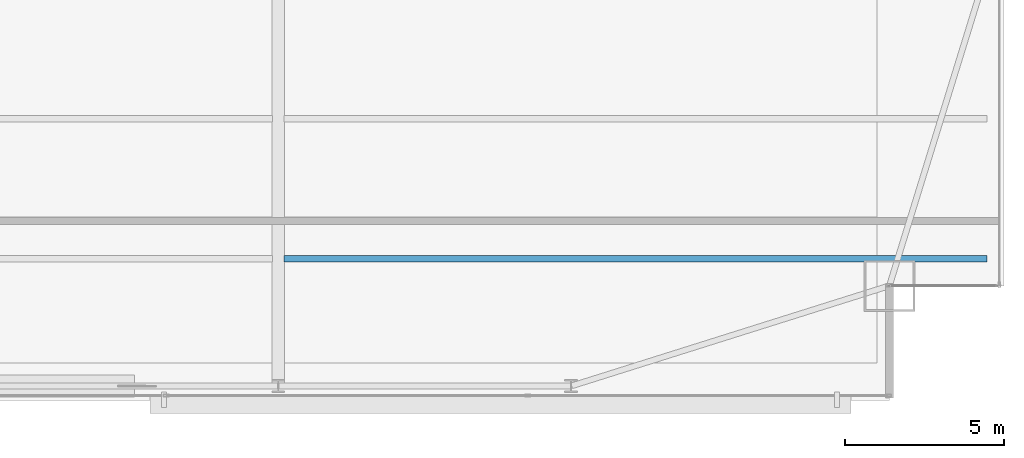
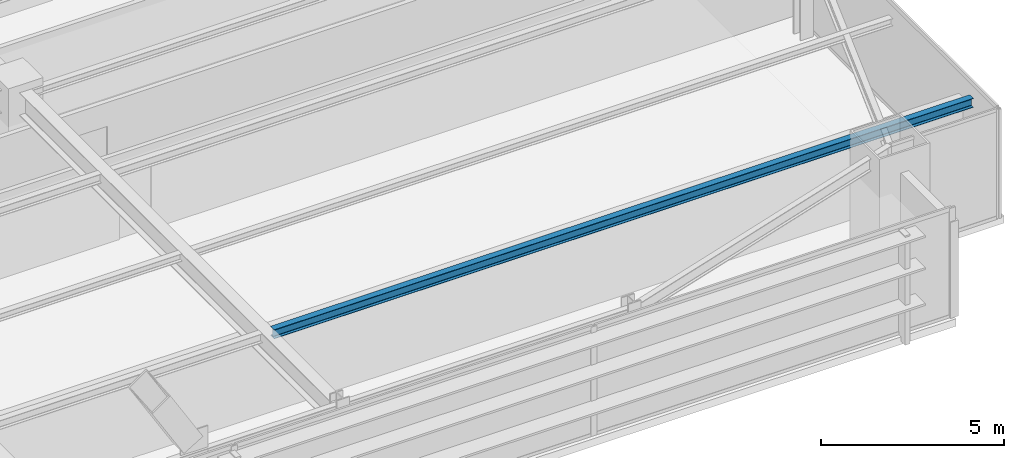
# One storey, part 15 of 35: 1 beam.
"""IFC4 building model written with IfcOpenShell, lengths in metres."""

from ifc_helpers import new_model, si_unit, direction, frame, origin, origin_2d, place, context, subcontext, project, spatial, i_section, extrude, source, transform, mapped, material, material_profile, profile_set, type_object, type_shapes, element, save


model = new_model("IFC4")

# Units and contexts
model_context = context("Model", 3, precision=1e-05, world=origin(), true_north=direction((0.0, 1.0)))
body_context = subcontext(model_context, "Body", "Model", "MODEL_VIEW")
ifc_project = project(units=[si_unit("LENGTHUNIT", "METRE"), si_unit("AREAUNIT", "SQUARE_METRE"), si_unit("VOLUMEUNIT", "CUBIC_METRE"), si_unit("PLANEANGLEUNIT", "RADIAN"), si_unit("MASSUNIT", "GRAM", prefix="KILO")], contexts=[model_context])

# Site, building, storey
site_placement = place(None, origin())
site = spatial("IfcSite", under=ifc_project, at=site_placement, CompositionType="ELEMENT")
building_placement = place(site_placement, origin())
building = spatial("IfcBuilding", under=site, at=building_placement, Name="Varnel Quay Broadcast Tower", CompositionType="ELEMENT")
storey_placement = place(building_placement, frame((0.0, 0.0, 31.5)))
storey = spatial("IfcBuildingStorey", under=building, at=storey_placement, Name="L06", CompositionType="ELEMENT", Elevation=31.5)

# Beam
ifc_material = material(Name="Structural Steel CSA G40.21 350W", Category="steel")
ifc_material_profile = material_profile(ifc_material, i_section(OverallWidth=0.202880859375, OverallDepth=0.302978515625, WebThickness=0.007568359375, FlangeThickness=0.01318359375, FilletRadius=0.011962890625, at=origin_2d()), Name="W310X60")
ifc_profile_set = profile_set([ifc_material_profile], Name="Structural Steel CSA G40.21 350W")
beam_type = type_object("IfcBeamType", Name="Beam_W310X60", PredefinedType="JOIST", material=ifc_profile_set)
shared_shape = source(origin(), body_context, "Body", "SweptSolid", [
    extrude(i_section(OverallWidth=0.202880859375, OverallDepth=0.302978515625, WebThickness=0.007568359375, FlangeThickness=0.01318359375, FilletRadius=0.011962890625, at=origin_2d()), origin(), (0.0, 0.0, 1.0), 22.0791015625),
])
type_shapes(beam_type, [shared_shape])
beam_placement = place(storey_placement, frame((43.385498046875, 5.64990234375, 3.49853515625), z_axis=(1.0, 0.0, 0.0), x_axis=(0.0, 1.0, 0.0)))
element("IfcBeam", 1, at=beam_placement, inside=storey, type_object=beam_type, Name="L06 East Floor Joist 1", PredefinedType="JOIST", context=body_context, shape_type="MappedRepresentation", body=[
    mapped(shared_shape, transform((0.0, 0.0, 0.0), x_axis=(1.0, 0.0, 0.0), y_axis=(0.0, 1.0, 0.0), z_axis=(0.0, 0.0, 1.0), scale=1.0)),
])

save(model, "model.ifc")
